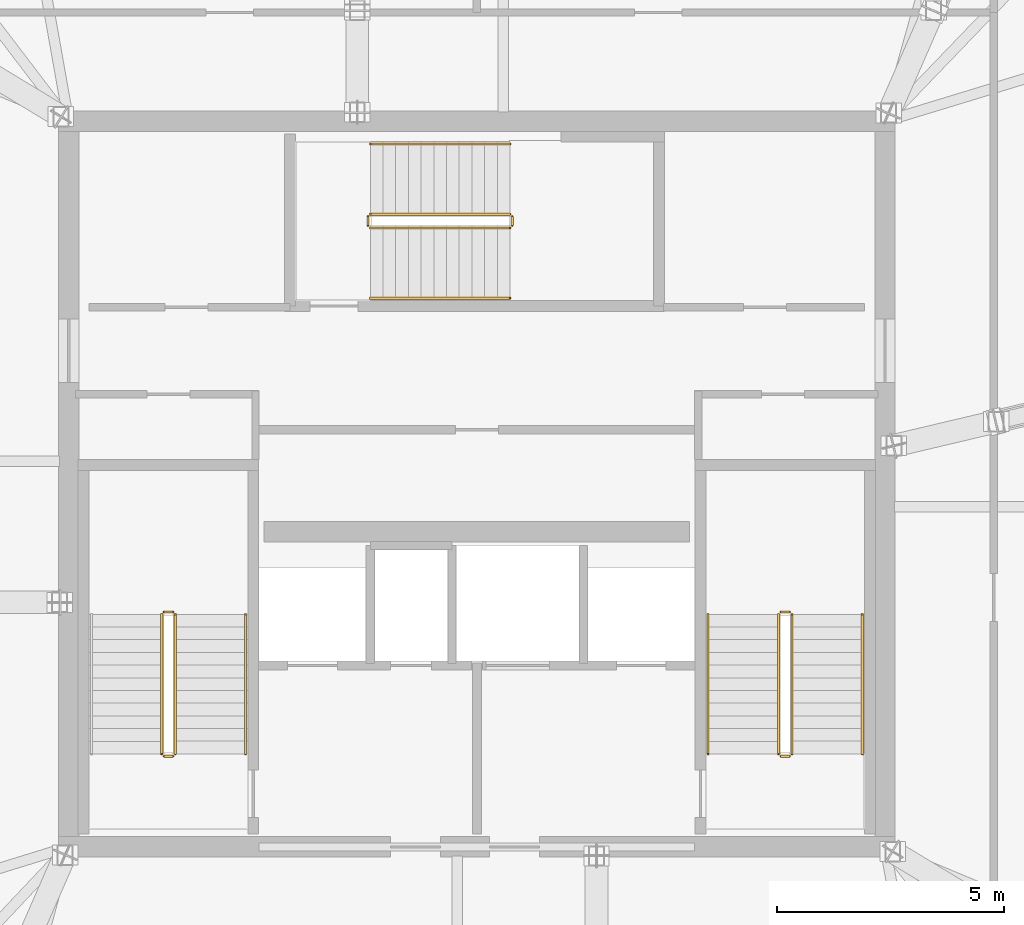
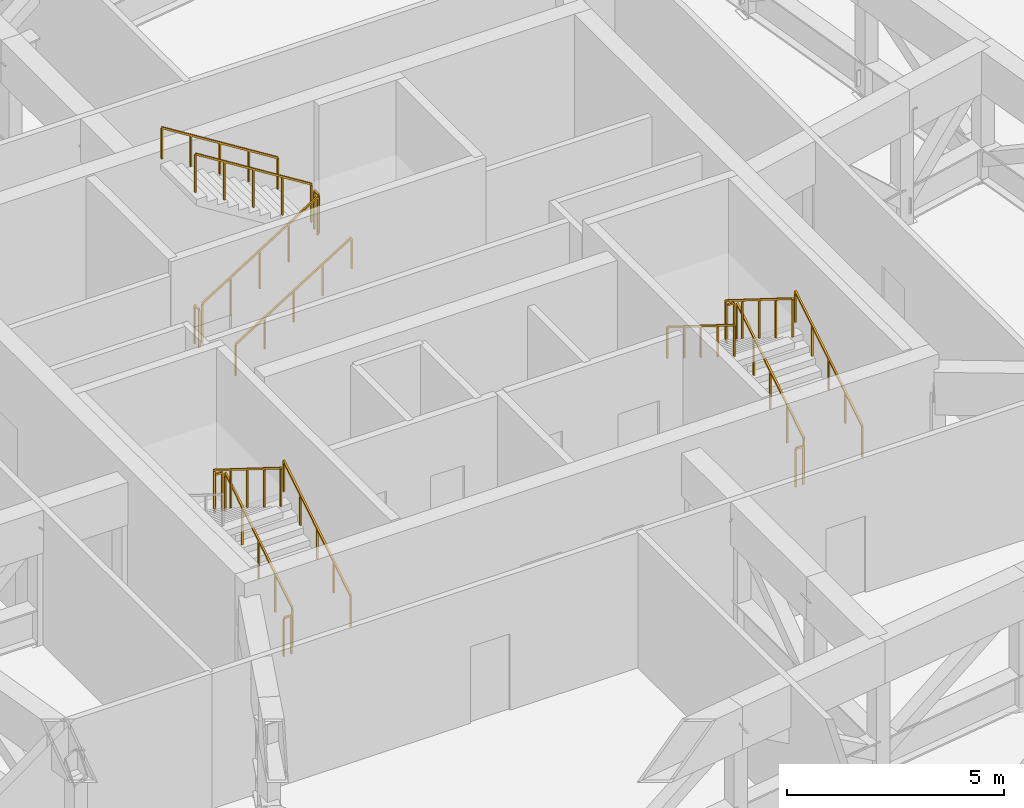
# One storey, part 12 of 13: 17 railings.
"""IFC4 building model written with IfcOpenShell, lengths in metres."""

import ifcopenshell
import ifcopenshell.guid

model = None  # the IFC model being written
_history = None  # IfcOwnerHistory: only IFC2X3 demands one
_inside = {}  # id of a spatial element -> (the spatial element, [elements in it])
_under = {}  # id of a project, library or spatial element -> (it, [spatial elements below it])
_declared = {}  # id of a project -> (the project, [libraries it declares])
_typed = {}  # id of a type object -> (the type object, [elements of that type])
_made_of = {}  # id of a material, layer set ... -> (it, [elements and type objects made of it])


def new_model(schema):
    """Start an empty IFC model of exactly this schema.

    Asked for "IFC4X3", IfcOpenShell would pick the latest addendum, in which some entities
    have other attributes; the version numbers below select the first issue.
    IFC2X3 requires an IfcOwnerHistory on every rooted entity: one is made here for all.
    """
    global model, _history
    if schema == "IFC4X3":
        model = ifcopenshell.file(schema_version=(4, 3, 0, 0))
    else:
        model = ifcopenshell.file(schema=schema)
    _inside.clear()
    _under.clear()
    _declared.clear()
    _typed.clear()
    _made_of.clear()
    _history = None
    if model.schema == "IFC2X3":
        org = make("IfcOrganization", Name="unknown")
        user = make(
            "IfcPersonAndOrganization",
            ThePerson=make("IfcPerson", FamilyName="unknown"),
            TheOrganization=org,
        )
        app = make(
            "IfcApplication",
            ApplicationDeveloper=org,
            Version="unknown",
            ApplicationFullName="unknown",
            ApplicationIdentifier="unknown",
        )
        _history = make(
            "IfcOwnerHistory",
            OwningUser=user,
            OwningApplication=app,
            ChangeAction="ADDED",
            CreationDate=0,
        )
    return model


def make(cls, **values):
    """One entity of the class cls with the attributes given. An attribute that is None is left unset."""
    return model.create_entity(
        cls, **{name: value for name, value in values.items() if value is not None}
    )


def rooted(cls, **values):
    """An entity with a GlobalId (a new one), such as an element, a storey or a relation."""
    return make(cls, GlobalId=ifcopenshell.guid.new(), OwnerHistory=_history, **values)


def si_unit(unit_type, name, prefix=None):
    """IfcSIUnit, for example si_unit("LENGTHUNIT", "METRE", prefix="MILLI")."""
    return make("IfcSIUnit", UnitType=unit_type, Prefix=prefix, Name=name)


def assignment(units):
    """IfcUnitAssignment: the units of a project."""
    return None if units is None else make("IfcUnitAssignment", Units=units)


def point(xyz):
    """IfcCartesianPoint."""
    return None if xyz is None else make("IfcCartesianPoint", Coordinates=xyz)


def direction(xyz):
    """IfcDirection."""
    return None if xyz is None else make("IfcDirection", DirectionRatios=xyz)


def frame(location, z_axis=None, x_axis=None):
    """IfcAxis2Placement3D, a coordinate frame: its origin and axes. An axis left out is left unset."""
    return make(
        "IfcAxis2Placement3D",
        Location=point(location),
        Axis=direction(z_axis),
        RefDirection=direction(x_axis),
    )


def frame_2d(location, x_axis=None):
    """IfcAxis2Placement2D, a coordinate frame in the plane: its origin and x axis."""
    return make(
        "IfcAxis2Placement2D", Location=point(location), RefDirection=direction(x_axis)
    )


def origin():
    """The frame at (0, 0, 0) with its axes left unset."""
    return frame((0.0, 0.0, 0.0))


def origin_2d():
    """The frame at (0, 0) in the plane with its x axis left unset."""
    return frame_2d((0.0, 0.0))


def place(relative_to, where):
    """IfcLocalPlacement: puts the frame where relative to a parent placement (None: the world)."""
    return make(
        "IfcLocalPlacement", PlacementRelTo=relative_to, RelativePlacement=where
    )


def context(
    kind, dimensions, precision=None, world=None, true_north=None, identifier=None
):
    """IfcGeometricRepresentationContext, for example the 3D "Model" context."""
    return make(
        "IfcGeometricRepresentationContext",
        ContextIdentifier=identifier,
        ContextType=kind,
        CoordinateSpaceDimension=dimensions,
        Precision=precision,
        WorldCoordinateSystem=world,
        TrueNorth=true_north,
    )


def subcontext(parent, identifier, kind, view, scale=None):
    """IfcGeometricRepresentationSubContext, for example "Body" below "Model"."""
    return make(
        "IfcGeometricRepresentationSubContext",
        ContextIdentifier=identifier,
        ContextType=kind,
        ParentContext=parent,
        TargetScale=scale,
        TargetView=view,
    )


def project(units=None, contexts=None):
    """IfcProject with its units and contexts."""
    return rooted(
        "IfcProject",
        Name="project",
        RepresentationContexts=contexts,
        UnitsInContext=assignment(units),
    )


def spatial(cls, under=None, at=None, **own):
    """A site, building, storey or space (cls), placed at a placement, below another one or the project."""
    s = rooted(cls, ObjectPlacement=at, **own)
    if under is not None:
        _under.setdefault(under.id(), (under, []))[1].append(s)
    return s


def profile(cls, at=None, kind="AREA", **sizes):
    """A parametric profile (cls). Its sizes go by their IFC names, for example OverallWidth=200.0."""
    return make(cls, ProfileType=kind, Position=at, **sizes)


def rectangle(**sizes):
    """IfcRectangleProfileDef."""
    return profile("IfcRectangleProfileDef", **sizes)


def extrude(swept, where, along, depth):
    """IfcExtrudedAreaSolid: the profile swept, set in the frame where, extruded along a direction by depth."""
    return make(
        "IfcExtrudedAreaSolid",
        SweptArea=swept,
        Position=where,
        ExtrudedDirection=direction(along),
        Depth=depth,
    )


def shape(context_of_items, identifier, shape_type, items):
    """IfcShapeRepresentation: the items that make up one representation, for example the "Body"."""
    return make(
        "IfcShapeRepresentation",
        ContextOfItems=context_of_items,
        RepresentationIdentifier=identifier,
        RepresentationType=shape_type,
        Items=items,
    )


def material(Name=None, Category=None):
    """IfcMaterial."""
    return make("IfcMaterial", Name=Name, Category=Category)


def made_of(thing, what):
    """Note that an element or type object is made of a material, layer set ...; save() writes the relation."""
    if what is not None:
        _made_of.setdefault(what.id(), (what, []))[1].append(thing)
    return thing


def type_object(cls, material=None, **own):
    """A type object (cls), such as IfcWallType, which elements share."""
    return made_of(rooted(cls, **own), material)


def element(
    cls,
    number,
    at=None,
    inside=None,
    cuts=None,
    type_object=None,
    material=None,
    context=None,
    identifier="Body",
    shape_type=None,
    held_by="IfcProductDefinitionShape",
    body=None,
    shapes=None,
    **own,
):
    """One element of the class cls, such as IfcWall. Its Tag is "e" and its number.

    at: its placement. inside: the storey or other place that contains it. cuts: it is an
    opening in that element (IfcRelVoidsElement). A single representation is given by context,
    identifier, shape_type and body (its items); several are given by shapes. held_by: the class
    of the entity that holds the representations. save() writes the other relations.
    """
    e = rooted(cls, Tag="e%d" % number, ObjectPlacement=at, **own)
    if body is not None:
        shapes = [shape(context, identifier, shape_type, body)]
    if shapes is not None:
        e.Representation = make(held_by, Representations=shapes)
    if inside is not None:
        _inside.setdefault(inside.id(), (inside, []))[1].append(e)
    if cuts is not None:
        rooted(
            "IfcRelVoidsElement", RelatingBuildingElement=cuts, RelatedOpeningElement=e
        )
    if type_object is not None:
        _typed.setdefault(type_object.id(), (type_object, []))[1].append(e)
    return made_of(e, material)


def aggregate(whole, parts):
    """IfcRelAggregates: a whole, such as a stair, and the parts it consists of."""
    return rooted("IfcRelAggregates", RelatingObject=whole, RelatedObjects=parts)


def save(model, path):
    """Write the relations noted so far, then the file.

    IfcRelAggregates (storeys below a building ...), IfcRelContainedInSpatialStructure (elements
    in a storey), IfcRelDefinesByType, IfcRelAssociatesMaterial and IfcRelDeclares: one each for
    every whole, place, type object, material and project.
    """
    for whole, parts in _under.values():
        aggregate(whole, parts)
    for where, things in _inside.values():
        rooted(
            "IfcRelContainedInSpatialStructure",
            RelatedElements=things,
            RelatingStructure=where,
        )
    for kind, things in _typed.values():
        rooted("IfcRelDefinesByType", RelatedObjects=things, RelatingType=kind)
    for what, things in _made_of.values():
        rooted("IfcRelAssociatesMaterial", RelatedObjects=things, RelatingMaterial=what)
    for by, libraries in _declared.values():
        rooted("IfcRelDeclares", RelatingContext=by, RelatedDefinitions=libraries)
    model.write(path)


model = new_model("IFC4")

# Units and contexts
model_context = context("Model", 3, precision=1e-05, world=origin(), true_north=direction((0.0, 1.0)))
body_context = subcontext(model_context, "Body", "Model", "MODEL_VIEW")
ifc_project = project(units=[si_unit("LENGTHUNIT", "METRE"), si_unit("AREAUNIT", "SQUARE_METRE"), si_unit("VOLUMEUNIT", "CUBIC_METRE"), si_unit("PLANEANGLEUNIT", "RADIAN"), si_unit("MASSUNIT", "GRAM", prefix="KILO")], contexts=[model_context])

# Site, building, storey
site_placement = place(None, origin())
site = spatial("IfcSite", under=ifc_project, at=site_placement, CompositionType="ELEMENT")
building_placement = place(site_placement, origin())
building = spatial("IfcBuilding", under=site, at=building_placement, Name="Haldenkirk Collegiate Tower", CompositionType="ELEMENT")
storey_placement = place(building_placement, frame((0.0, 0.0, 352.199951171875)))
storey = spatial("IfcBuildingStorey", under=building, at=storey_placement, Name="L89", CompositionType="ELEMENT", Elevation=352.199951171875)

# Railings
ifc_material = material(Name="Painted architectural tubular steel", Category="steel")
railing_type_1 = type_object("IfcRailingType", Name="RLG-STAIR-GUARD-1100", PredefinedType="BALUSTRADE", material=ifc_material)
railing_1_placement = place(storey_placement, frame((29.35009765625, 20.050048828125, 0.175048828125)))
element("IfcRailing", 1, at=railing_1_placement, inside=storey, type_object=railing_type_1, Name="L89 ST-1 stair guard 1", PredefinedType="BALUSTRADE", context=body_context, shape_type="SweptSolid", body=[
    extrude(rectangle(XDim=0.048095703125, YDim=0.048095703125, at=origin_2d()), frame((0.0, 0.0, 1.076171875), z_axis=(0.0, 0.847979421464, 0.530029150871), x_axis=(-1.0, 0.0, 0.0)), (0.0, 0.0, 1.0), 3.632080078125),
    extrude(rectangle(XDim=0.0419921875, YDim=0.0419921875, at=origin_2d()), origin(), (0.0, 0.0, 1.0), 1.052001953125),
    extrude(rectangle(XDim=0.0419921875, YDim=0.0419921875, at=origin_2d()), frame((0.0, 0.77001953125, 0.481201171875)), (0.0, 0.0, 1.0), 1.052001953125),
    extrude(rectangle(XDim=0.0419921875, YDim=0.0419921875, at=origin_2d()), frame((0.0, 1.5400390625, 0.96240234375)), (0.0, 0.0, 1.0), 1.052001953125),
    extrude(rectangle(XDim=0.0419921875, YDim=0.0419921875, at=origin_2d()), frame((0.0, 2.309814453125, 1.44384765625)), (0.0, 0.0, 1.0), 1.052001953125),
    extrude(rectangle(XDim=0.0419921875, YDim=0.0419921875, at=origin_2d()), frame((0.0, 3.079833984375, 1.925048828125)), (0.0, 0.0, 1.0), 1.052001953125),
])
railing_2_placement = place(storey_placement, frame((29.300048828125, 23.179931640625, 2.10009765625)))
element("IfcRailing", 2, at=railing_2_placement, inside=storey, type_object=railing_type_1, Name="L89 ST-1 stair guard 2", PredefinedType="BALUSTRADE", context=body_context, shape_type="SweptSolid", body=[
    extrude(rectangle(XDim=0.048095703125, YDim=0.048095703125, at=origin_2d()), frame((0.0, 0.0, 1.076171875), z_axis=(-1.0, 0.0, 0.0), x_axis=(0.0, -1.0, 0.0)), (0.0, 0.0, 1.0), 0.199951171875),
    extrude(rectangle(XDim=0.0419921875, YDim=0.0419921875, at=origin_2d()), origin(), (0.0, 0.0, 1.0), 1.052001953125),
    extrude(rectangle(XDim=0.0419921875, YDim=0.0419921875, at=origin_2d()), frame((-0.199951171875, 0.0, 0.0)), (0.0, 0.0, 1.0), 1.052001953125),
])
railing_3_placement = place(storey_placement, frame((29.050048828125, 23.1298828125, 2.275146484375)))
element("IfcRailing", 3, at=railing_3_placement, inside=storey, type_object=railing_type_1, Name="L89 ST-1 stair guard 3", PredefinedType="BALUSTRADE", context=body_context, shape_type="SweptSolid", body=[
    extrude(rectangle(XDim=0.048095703125, YDim=0.048095703125, at=origin_2d()), frame((0.0, 0.0, 1.076171875), z_axis=(0.0, -0.848009633417, 0.529980812513), x_axis=(1.0, 0.0, 0.0)), (0.0, 0.0, 1.0), 3.6318359375),
    extrude(rectangle(XDim=0.0419921875, YDim=0.0419921875, at=origin_2d()), origin(), (0.0, 0.0, 1.0), 1.052001953125),
    extrude(rectangle(XDim=0.0419921875, YDim=0.0419921875, at=origin_2d()), frame((0.0, -0.77001953125, 0.481201171875)), (0.0, 0.0, 1.0), 1.052001953125),
    extrude(rectangle(XDim=0.0419921875, YDim=0.0419921875, at=origin_2d()), frame((0.0, -1.5400390625, 0.96240234375)), (0.0, 0.0, 1.0), 1.052001953125),
    extrude(rectangle(XDim=0.0419921875, YDim=0.0419921875, at=origin_2d()), frame((0.0, -2.309814453125, 1.443603515625)), (0.0, 0.0, 1.0), 1.052001953125),
    extrude(rectangle(XDim=0.0419921875, YDim=0.0419921875, at=origin_2d()), frame((0.0, -3.079833984375, 1.9248046875)), (0.0, 0.0, 1.0), 1.052001953125),
])
railing_4_placement = place(storey_placement, frame((29.300048828125, 20.0, 0.0)))
element("IfcRailing", 4, at=railing_4_placement, inside=storey, type_object=railing_type_1, Name="L89 ST-1 stair guard 4", PredefinedType="BALUSTRADE", context=body_context, shape_type="SweptSolid", body=[
    extrude(rectangle(XDim=0.048095703125, YDim=0.048095703125, at=origin_2d()), frame((0.0, 0.0, 1.076171875), z_axis=(-1.0, 0.0, 0.0), x_axis=(0.0, -1.0, 0.0)), (0.0, 0.0, 1.0), 0.199951171875),
    extrude(rectangle(XDim=0.0419921875, YDim=0.0419921875, at=origin_2d()), origin(), (0.0, 0.0, 1.0), 1.052001953125),
    extrude(rectangle(XDim=0.0419921875, YDim=0.0419921875, at=origin_2d()), frame((-0.199951171875, 0.0, 0.0)), (0.0, 0.0, 1.0), 1.052001953125),
])
railing_5_placement = place(storey_placement, frame((42.949951171875, 20.050048828125, 0.175048828125)))
element("IfcRailing", 5, at=railing_5_placement, inside=storey, type_object=railing_type_1, Name="L89 ST-2 stair guard 1", PredefinedType="BALUSTRADE", context=body_context, shape_type="SweptSolid", body=[
    extrude(rectangle(XDim=0.048095703125, YDim=0.048095703125, at=origin_2d()), frame((0.0, 0.0, 1.076171875), z_axis=(0.0, 0.847979421464, 0.530029150871), x_axis=(-1.0, 0.0, 0.0)), (0.0, 0.0, 1.0), 3.632080078125),
    extrude(rectangle(XDim=0.0419921875, YDim=0.0419921875, at=origin_2d()), origin(), (0.0, 0.0, 1.0), 1.052001953125),
    extrude(rectangle(XDim=0.0419921875, YDim=0.0419921875, at=origin_2d()), frame((0.0, 0.77001953125, 0.481201171875)), (0.0, 0.0, 1.0), 1.052001953125),
    extrude(rectangle(XDim=0.0419921875, YDim=0.0419921875, at=origin_2d()), frame((0.0, 1.5400390625, 0.96240234375)), (0.0, 0.0, 1.0), 1.052001953125),
    extrude(rectangle(XDim=0.0419921875, YDim=0.0419921875, at=origin_2d()), frame((0.0, 2.309814453125, 1.44384765625)), (0.0, 0.0, 1.0), 1.052001953125),
    extrude(rectangle(XDim=0.0419921875, YDim=0.0419921875, at=origin_2d()), frame((0.0, 3.079833984375, 1.925048828125)), (0.0, 0.0, 1.0), 1.052001953125),
])
railing_6_placement = place(storey_placement, frame((42.89990234375, 23.179931640625, 2.10009765625)))
element("IfcRailing", 6, at=railing_6_placement, inside=storey, type_object=railing_type_1, Name="L89 ST-2 stair guard 2", PredefinedType="BALUSTRADE", context=body_context, shape_type="SweptSolid", body=[
    extrude(rectangle(XDim=0.048095703125, YDim=0.048095703125, at=origin_2d()), frame((0.0, 0.0, 1.076171875), z_axis=(-1.0, 0.0, 0.0), x_axis=(0.0, -1.0, 0.0)), (0.0, 0.0, 1.0), 0.199951171875),
    extrude(rectangle(XDim=0.0419921875, YDim=0.0419921875, at=origin_2d()), origin(), (0.0, 0.0, 1.0), 1.052001953125),
    extrude(rectangle(XDim=0.0419921875, YDim=0.0419921875, at=origin_2d()), frame((-0.199951171875, 0.0, 0.0)), (0.0, 0.0, 1.0), 1.052001953125),
])
railing_7_placement = place(storey_placement, frame((42.64990234375, 23.1298828125, 2.275146484375)))
element("IfcRailing", 7, at=railing_7_placement, inside=storey, type_object=railing_type_1, Name="L89 ST-2 stair guard 3", PredefinedType="BALUSTRADE", context=body_context, shape_type="SweptSolid", body=[
    extrude(rectangle(XDim=0.048095703125, YDim=0.048095703125, at=origin_2d()), frame((0.0, 0.0, 1.076171875), z_axis=(0.0, -0.848009633417, 0.529980812513), x_axis=(1.0, 0.0, 0.0)), (0.0, 0.0, 1.0), 3.6318359375),
    extrude(rectangle(XDim=0.0419921875, YDim=0.0419921875, at=origin_2d()), origin(), (0.0, 0.0, 1.0), 1.052001953125),
    extrude(rectangle(XDim=0.0419921875, YDim=0.0419921875, at=origin_2d()), frame((0.0, -0.77001953125, 0.481201171875)), (0.0, 0.0, 1.0), 1.052001953125),
    extrude(rectangle(XDim=0.0419921875, YDim=0.0419921875, at=origin_2d()), frame((0.0, -1.5400390625, 0.96240234375)), (0.0, 0.0, 1.0), 1.052001953125),
    extrude(rectangle(XDim=0.0419921875, YDim=0.0419921875, at=origin_2d()), frame((0.0, -2.309814453125, 1.443603515625)), (0.0, 0.0, 1.0), 1.052001953125),
    extrude(rectangle(XDim=0.0419921875, YDim=0.0419921875, at=origin_2d()), frame((0.0, -3.079833984375, 1.9248046875)), (0.0, 0.0, 1.0), 1.052001953125),
])
railing_8_placement = place(storey_placement, frame((42.89990234375, 20.0, 0.0)))
element("IfcRailing", 8, at=railing_8_placement, inside=storey, type_object=railing_type_1, Name="L89 ST-2 stair guard 4", PredefinedType="BALUSTRADE", context=body_context, shape_type="SweptSolid", body=[
    extrude(rectangle(XDim=0.048095703125, YDim=0.048095703125, at=origin_2d()), frame((0.0, 0.0, 1.076171875), z_axis=(-1.0, 0.0, 0.0), x_axis=(0.0, -1.0, 0.0)), (0.0, 0.0, 1.0), 0.199951171875),
    extrude(rectangle(XDim=0.0419921875, YDim=0.0419921875, at=origin_2d()), origin(), (0.0, 0.0, 1.0), 1.052001953125),
    extrude(rectangle(XDim=0.0419921875, YDim=0.0419921875, at=origin_2d()), frame((-0.199951171875, 0.0, 0.0)), (0.0, 0.0, 1.0), 1.052001953125),
])
railing_9_placement = place(storey_placement, frame((33.64990234375, 31.64990234375, 0.175048828125)))
element("IfcRailing", 9, at=railing_9_placement, inside=storey, type_object=railing_type_1, Name="L89 ST-3 stair guard 1", PredefinedType="BALUSTRADE", context=body_context, shape_type="SweptSolid", body=[
    extrude(rectangle(XDim=0.048095703125, YDim=0.048095703125, at=origin_2d()), frame((0.0, 0.0, 1.076171875), z_axis=(0.847998304005, 0.0, 0.529998940003), x_axis=(0.0, 1.0, 0.0)), (0.0, 0.0, 1.0), 3.632080078125),
    extrude(rectangle(XDim=0.0419921875, YDim=0.0419921875, at=origin_2d()), origin(), (0.0, 0.0, 1.0), 1.052001953125),
    extrude(rectangle(XDim=0.0419921875, YDim=0.0419921875, at=origin_2d()), frame((0.77001953125, 0.0, 0.481201171875)), (0.0, 0.0, 1.0), 1.052001953125),
    extrude(rectangle(XDim=0.0419921875, YDim=0.0419921875, at=origin_2d()), frame((1.5400390625, 0.0, 0.96240234375)), (0.0, 0.0, 1.0), 1.052001953125),
    extrude(rectangle(XDim=0.0419921875, YDim=0.0419921875, at=origin_2d()), frame((2.31005859375, 0.0, 1.44384765625)), (0.0, 0.0, 1.0), 1.052001953125),
    extrude(rectangle(XDim=0.0419921875, YDim=0.0419921875, at=origin_2d()), frame((3.080078125, 0.0, 1.925048828125)), (0.0, 0.0, 1.0), 1.052001953125),
])
railing_10_placement = place(storey_placement, frame((36.780029296875, 31.699951171875, 2.10009765625)))
element("IfcRailing", 10, at=railing_10_placement, inside=storey, type_object=railing_type_1, Name="L89 ST-3 stair guard 2", PredefinedType="BALUSTRADE", context=body_context, shape_type="SweptSolid", body=[
    extrude(rectangle(XDim=0.048095703125, YDim=0.048095703125, at=origin_2d()), frame((0.0, 0.0, 1.076171875), z_axis=(0.0, 1.0, 0.0), x_axis=(-1.0, 0.0, 0.0)), (0.0, 0.0, 1.0), 0.199951171875),
    extrude(rectangle(XDim=0.0419921875, YDim=0.0419921875, at=origin_2d()), origin(), (0.0, 0.0, 1.0), 1.052001953125),
    extrude(rectangle(XDim=0.0419921875, YDim=0.0419921875, at=origin_2d()), frame((0.0, 0.199951171875, 0.0)), (0.0, 0.0, 1.0), 1.052001953125),
])
railing_11_placement = place(storey_placement, frame((36.72998046875, 31.949951171875, 2.275146484375)))
element("IfcRailing", 11, at=railing_11_placement, inside=storey, type_object=railing_type_1, Name="L89 ST-3 stair guard 3", PredefinedType="BALUSTRADE", context=body_context, shape_type="SweptSolid", body=[
    extrude(rectangle(XDim=0.048095703125, YDim=0.048095703125, at=origin_2d()), frame((0.0, 0.0, 1.076171875), z_axis=(-0.848028513186, 0.0, 0.529950602248), x_axis=(0.0, -1.0, 0.0)), (0.0, 0.0, 1.0), 3.632080078125),
    extrude(rectangle(XDim=0.0419921875, YDim=0.0419921875, at=origin_2d()), origin(), (0.0, 0.0, 1.0), 1.052001953125),
    extrude(rectangle(XDim=0.0419921875, YDim=0.0419921875, at=origin_2d()), frame((-0.77001953125, 0.0, 0.481201171875)), (0.0, 0.0, 1.0), 1.052001953125),
    extrude(rectangle(XDim=0.0419921875, YDim=0.0419921875, at=origin_2d()), frame((-1.5400390625, 0.0, 0.96240234375)), (0.0, 0.0, 1.0), 1.052001953125),
    extrude(rectangle(XDim=0.0419921875, YDim=0.0419921875, at=origin_2d()), frame((-2.31005859375, 0.0, 1.443603515625)), (0.0, 0.0, 1.0), 1.052001953125),
    extrude(rectangle(XDim=0.0419921875, YDim=0.0419921875, at=origin_2d()), frame((-3.080078125, 0.0, 1.9248046875)), (0.0, 0.0, 1.0), 1.052001953125),
])
railing_12_placement = place(storey_placement, frame((33.60009765625, 31.699951171875, 0.0)))
element("IfcRailing", 12, at=railing_12_placement, inside=storey, type_object=railing_type_1, Name="L89 ST-3 stair guard 4", PredefinedType="BALUSTRADE", context=body_context, shape_type="SweptSolid", body=[
    extrude(rectangle(XDim=0.048095703125, YDim=0.048095703125, at=origin_2d()), frame((0.0, 0.0, 1.076171875), z_axis=(0.0, 1.0, 0.0), x_axis=(-1.0, 0.0, 0.0)), (0.0, 0.0, 1.0), 0.199951171875),
    extrude(rectangle(XDim=0.0419921875, YDim=0.0419921875, at=origin_2d()), origin(), (0.0, 0.0, 1.0), 1.052001953125),
    extrude(rectangle(XDim=0.0419921875, YDim=0.0419921875, at=origin_2d()), frame((0.0, 0.199951171875, 0.0)), (0.0, 0.0, 1.0), 1.052001953125),
])
railing_type_2 = type_object("IfcRailingType", Name="RLG-STAIR-HANDRAIL-900", PredefinedType="HANDRAIL", material=ifc_material)
for number, where, name in (
    (13, (30.89990234375, 20.050048828125, 0.175048828125), "L89 ST-1 stair handrail 1"),
    (14, (44.5, 20.050048828125, 0.175048828125), "L89 ST-2 stair handrail 1"),
):
    element("IfcRailing", number, at=place(storey_placement, frame(where)), inside=storey, type_object=railing_type_2, Name=name, PredefinedType="HANDRAIL", context=body_context, shape_type="SweptSolid", body=[
        extrude(rectangle(XDim=0.048095703125, YDim=0.048095703125, at=origin_2d()), frame((0.0, 0.0, 0.8759765625), z_axis=(0.0, 0.847979421464, 0.530029150871), x_axis=(-1.0, 0.0, 0.0)), (0.0, 0.0, 1.0), 3.632080078125),
        extrude(rectangle(XDim=0.0419921875, YDim=0.0419921875, at=origin_2d()), origin(), (0.0, 0.0, 1.0), 0.851806640625),
        extrude(rectangle(XDim=0.0419921875, YDim=0.0419921875, at=origin_2d()), frame((0.0, 0.77001953125, 0.481201171875)), (0.0, 0.0, 1.0), 0.851806640625),
        extrude(rectangle(XDim=0.0419921875, YDim=0.0419921875, at=origin_2d()), frame((0.0, 1.5400390625, 0.96240234375)), (0.0, 0.0, 1.0), 0.851806640625),
        extrude(rectangle(XDim=0.0419921875, YDim=0.0419921875, at=origin_2d()), frame((0.0, 2.309814453125, 1.44384765625)), (0.0, 0.0, 1.0), 0.851806640625),
        extrude(rectangle(XDim=0.0419921875, YDim=0.0419921875, at=origin_2d()), frame((0.0, 3.079833984375, 1.925048828125)), (0.0, 0.0, 1.0), 0.851806640625),
    ])
railing_13_placement = place(storey_placement, frame((41.10009765625, 23.1298828125, 2.275146484375)))
element("IfcRailing", 15, at=railing_13_placement, inside=storey, type_object=railing_type_2, Name="L89 ST-2 stair handrail 2", PredefinedType="HANDRAIL", context=body_context, shape_type="SweptSolid", body=[
    extrude(rectangle(XDim=0.048095703125, YDim=0.048095703125, at=origin_2d()), frame((0.0, 0.0, 0.8759765625), z_axis=(0.0, -0.848009633417, 0.529980812513), x_axis=(1.0, 0.0, 0.0)), (0.0, 0.0, 1.0), 3.6318359375),
    extrude(rectangle(XDim=0.0419921875, YDim=0.0419921875, at=origin_2d()), origin(), (0.0, 0.0, 1.0), 0.851806640625),
    extrude(rectangle(XDim=0.0419921875, YDim=0.0419921875, at=origin_2d()), frame((0.0, -0.77001953125, 0.481201171875)), (0.0, 0.0, 1.0), 0.851806640625),
    extrude(rectangle(XDim=0.0419921875, YDim=0.0419921875, at=origin_2d()), frame((0.0, -1.5400390625, 0.96240234375)), (0.0, 0.0, 1.0), 0.851806640625),
    extrude(rectangle(XDim=0.0419921875, YDim=0.0419921875, at=origin_2d()), frame((0.0, -2.309814453125, 1.443603515625)), (0.0, 0.0, 1.0), 0.851806640625),
    extrude(rectangle(XDim=0.0419921875, YDim=0.0419921875, at=origin_2d()), frame((0.0, -3.079833984375, 1.9248046875)), (0.0, 0.0, 1.0), 0.851806640625),
])
railing_14_placement = place(storey_placement, frame((33.64990234375, 30.10009765625, 0.175048828125)))
element("IfcRailing", 16, at=railing_14_placement, inside=storey, type_object=railing_type_2, Name="L89 ST-3 stair handrail 1", PredefinedType="HANDRAIL", context=body_context, shape_type="SweptSolid", body=[
    extrude(rectangle(XDim=0.048095703125, YDim=0.048095703125, at=origin_2d()), frame((0.0, 0.0, 0.8759765625), z_axis=(0.847998304005, 0.0, 0.529998940003), x_axis=(0.0, 1.0, 0.0)), (0.0, 0.0, 1.0), 3.632080078125),
    extrude(rectangle(XDim=0.0419921875, YDim=0.0419921875, at=origin_2d()), origin(), (0.0, 0.0, 1.0), 0.851806640625),
    extrude(rectangle(XDim=0.0419921875, YDim=0.0419921875, at=origin_2d()), frame((0.77001953125, 0.0, 0.481201171875)), (0.0, 0.0, 1.0), 0.851806640625),
    extrude(rectangle(XDim=0.0419921875, YDim=0.0419921875, at=origin_2d()), frame((1.5400390625, 0.0, 0.96240234375)), (0.0, 0.0, 1.0), 0.851806640625),
    extrude(rectangle(XDim=0.0419921875, YDim=0.0419921875, at=origin_2d()), frame((2.31005859375, 0.0, 1.44384765625)), (0.0, 0.0, 1.0), 0.851806640625),
    extrude(rectangle(XDim=0.0419921875, YDim=0.0419921875, at=origin_2d()), frame((3.080078125, 0.0, 1.925048828125)), (0.0, 0.0, 1.0), 0.851806640625),
])
railing_15_placement = place(storey_placement, frame((36.72998046875, 33.5, 2.275146484375)))
element("IfcRailing", 17, at=railing_15_placement, inside=storey, type_object=railing_type_2, Name="L89 ST-3 stair handrail 2", PredefinedType="HANDRAIL", context=body_context, shape_type="SweptSolid", body=[
    extrude(rectangle(XDim=0.048095703125, YDim=0.048095703125, at=origin_2d()), frame((0.0, 0.0, 0.8759765625), z_axis=(-0.848028513186, 0.0, 0.529950602248), x_axis=(0.0, -1.0, 0.0)), (0.0, 0.0, 1.0), 3.632080078125),
    extrude(rectangle(XDim=0.0419921875, YDim=0.0419921875, at=origin_2d()), origin(), (0.0, 0.0, 1.0), 0.851806640625),
    extrude(rectangle(XDim=0.0419921875, YDim=0.0419921875, at=origin_2d()), frame((-0.77001953125, 0.0, 0.481201171875)), (0.0, 0.0, 1.0), 0.851806640625),
    extrude(rectangle(XDim=0.0419921875, YDim=0.0419921875, at=origin_2d()), frame((-1.5400390625, 0.0, 0.96240234375)), (0.0, 0.0, 1.0), 0.851806640625),
    extrude(rectangle(XDim=0.0419921875, YDim=0.0419921875, at=origin_2d()), frame((-2.31005859375, 0.0, 1.443603515625)), (0.0, 0.0, 1.0), 0.851806640625),
    extrude(rectangle(XDim=0.0419921875, YDim=0.0419921875, at=origin_2d()), frame((-3.080078125, 0.0, 1.9248046875)), (0.0, 0.0, 1.0), 0.851806640625),
])

save(model, "model.ifc")
